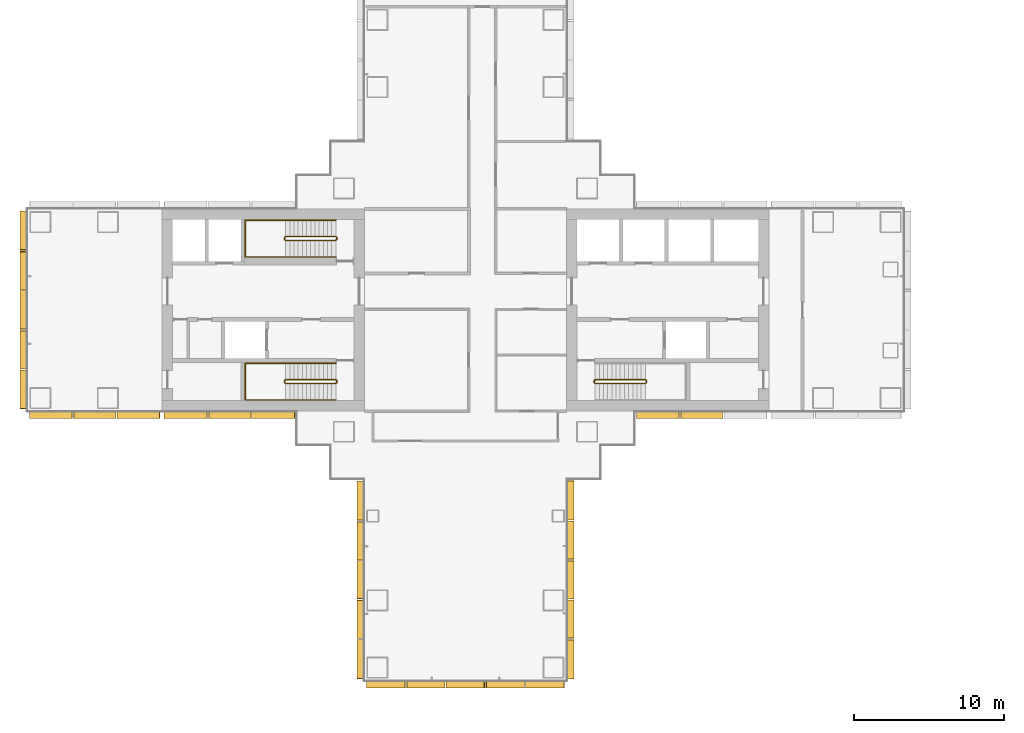
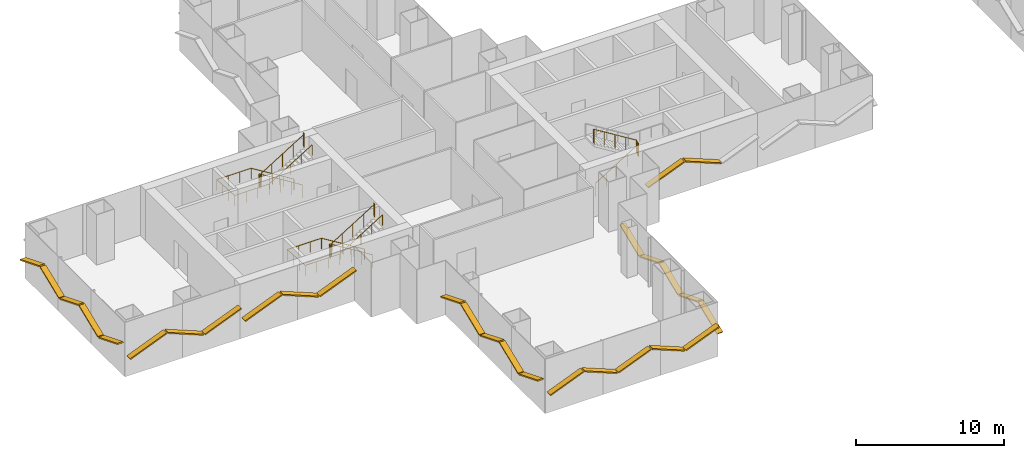
# One storey, part 19 of 22: 28 shading devices, 5 railings.
"""IFC4 building model written with IfcOpenShell, lengths in metres."""

import ifcopenshell
import ifcopenshell.guid

model = None  # the IFC model being written
_history = None  # IfcOwnerHistory: only IFC2X3 demands one
_inside = {}  # id of a spatial element -> (the spatial element, [elements in it])
_under = {}  # id of a project, library or spatial element -> (it, [spatial elements below it])
_declared = {}  # id of a project -> (the project, [libraries it declares])
_typed = {}  # id of a type object -> (the type object, [elements of that type])
_made_of = {}  # id of a material, layer set ... -> (it, [elements and type objects made of it])


def new_model(schema):
    """Start an empty IFC model of exactly this schema.

    Asked for "IFC4X3", IfcOpenShell would pick the latest addendum, in which some entities
    have other attributes; the version numbers below select the first issue.
    IFC2X3 requires an IfcOwnerHistory on every rooted entity: one is made here for all.
    """
    global model, _history
    if schema == "IFC4X3":
        model = ifcopenshell.file(schema_version=(4, 3, 0, 0))
    else:
        model = ifcopenshell.file(schema=schema)
    _inside.clear()
    _under.clear()
    _declared.clear()
    _typed.clear()
    _made_of.clear()
    _history = None
    if model.schema == "IFC2X3":
        org = make("IfcOrganization", Name="unknown")
        user = make(
            "IfcPersonAndOrganization",
            ThePerson=make("IfcPerson", FamilyName="unknown"),
            TheOrganization=org,
        )
        app = make(
            "IfcApplication",
            ApplicationDeveloper=org,
            Version="unknown",
            ApplicationFullName="unknown",
            ApplicationIdentifier="unknown",
        )
        _history = make(
            "IfcOwnerHistory",
            OwningUser=user,
            OwningApplication=app,
            ChangeAction="ADDED",
            CreationDate=0,
        )
    return model


def make(cls, **values):
    """One entity of the class cls with the attributes given. An attribute that is None is left unset."""
    return model.create_entity(
        cls, **{name: value for name, value in values.items() if value is not None}
    )


def rooted(cls, **values):
    """An entity with a GlobalId (a new one), such as an element, a storey or a relation."""
    return make(cls, GlobalId=ifcopenshell.guid.new(), OwnerHistory=_history, **values)


def si_unit(unit_type, name, prefix=None):
    """IfcSIUnit, for example si_unit("LENGTHUNIT", "METRE", prefix="MILLI")."""
    return make("IfcSIUnit", UnitType=unit_type, Prefix=prefix, Name=name)


def assignment(units):
    """IfcUnitAssignment: the units of a project."""
    return None if units is None else make("IfcUnitAssignment", Units=units)


def point(xyz):
    """IfcCartesianPoint."""
    return None if xyz is None else make("IfcCartesianPoint", Coordinates=xyz)


def direction(xyz):
    """IfcDirection."""
    return None if xyz is None else make("IfcDirection", DirectionRatios=xyz)


def frame(location, z_axis=None, x_axis=None):
    """IfcAxis2Placement3D, a coordinate frame: its origin and axes. An axis left out is left unset."""
    return make(
        "IfcAxis2Placement3D",
        Location=point(location),
        Axis=direction(z_axis),
        RefDirection=direction(x_axis),
    )


def frame_2d(location, x_axis=None):
    """IfcAxis2Placement2D, a coordinate frame in the plane: its origin and x axis."""
    return make(
        "IfcAxis2Placement2D", Location=point(location), RefDirection=direction(x_axis)
    )


def origin():
    """The frame at (0, 0, 0) with its axes left unset."""
    return frame((0.0, 0.0, 0.0))


def origin_2d():
    """The frame at (0, 0) in the plane with its x axis left unset."""
    return frame_2d((0.0, 0.0))


def place(relative_to, where):
    """IfcLocalPlacement: puts the frame where relative to a parent placement (None: the world)."""
    return make(
        "IfcLocalPlacement", PlacementRelTo=relative_to, RelativePlacement=where
    )


def context(
    kind, dimensions, precision=None, world=None, true_north=None, identifier=None
):
    """IfcGeometricRepresentationContext, for example the 3D "Model" context."""
    return make(
        "IfcGeometricRepresentationContext",
        ContextIdentifier=identifier,
        ContextType=kind,
        CoordinateSpaceDimension=dimensions,
        Precision=precision,
        WorldCoordinateSystem=world,
        TrueNorth=true_north,
    )


def subcontext(parent, identifier, kind, view, scale=None):
    """IfcGeometricRepresentationSubContext, for example "Body" below "Model"."""
    return make(
        "IfcGeometricRepresentationSubContext",
        ContextIdentifier=identifier,
        ContextType=kind,
        ParentContext=parent,
        TargetScale=scale,
        TargetView=view,
    )


def project(units=None, contexts=None):
    """IfcProject with its units and contexts."""
    return rooted(
        "IfcProject",
        Name="project",
        RepresentationContexts=contexts,
        UnitsInContext=assignment(units),
    )


def spatial(cls, under=None, at=None, **own):
    """A site, building, storey or space (cls), placed at a placement, below another one or the project."""
    s = rooted(cls, ObjectPlacement=at, **own)
    if under is not None:
        _under.setdefault(under.id(), (under, []))[1].append(s)
    return s


def profile(cls, at=None, kind="AREA", **sizes):
    """A parametric profile (cls). Its sizes go by their IFC names, for example OverallWidth=200.0."""
    return make(cls, ProfileType=kind, Position=at, **sizes)


def rectangle(**sizes):
    """IfcRectangleProfileDef."""
    return profile("IfcRectangleProfileDef", **sizes)


def circle(**sizes):
    """IfcCircleProfileDef."""
    return profile("IfcCircleProfileDef", **sizes)


def extrude(swept, where, along, depth):
    """IfcExtrudedAreaSolid: the profile swept, set in the frame where, extruded along a direction by depth."""
    return make(
        "IfcExtrudedAreaSolid",
        SweptArea=swept,
        Position=where,
        ExtrudedDirection=direction(along),
        Depth=depth,
    )


def shape(context_of_items, identifier, shape_type, items):
    """IfcShapeRepresentation: the items that make up one representation, for example the "Body"."""
    return make(
        "IfcShapeRepresentation",
        ContextOfItems=context_of_items,
        RepresentationIdentifier=identifier,
        RepresentationType=shape_type,
        Items=items,
    )


def material(Name=None, Category=None):
    """IfcMaterial."""
    return make("IfcMaterial", Name=Name, Category=Category)


def material_profile(
    of_material, cross_section, Name=None, Category=None, Priority=None
):
    """IfcMaterialProfile: a cross section and its material."""
    return make(
        "IfcMaterialProfile",
        Name=Name,
        Material=of_material,
        Profile=cross_section,
        Priority=Priority,
        Category=Category,
    )


def profile_set(profiles, Name=None, composite=None):
    """IfcMaterialProfileSet."""
    return make(
        "IfcMaterialProfileSet",
        Name=Name,
        MaterialProfiles=profiles,
        CompositeProfile=composite,
    )


def made_of(thing, what):
    """Note that an element or type object is made of a material, layer set ...; save() writes the relation."""
    if what is not None:
        _made_of.setdefault(what.id(), (what, []))[1].append(thing)
    return thing


def type_object(cls, material=None, **own):
    """A type object (cls), such as IfcWallType, which elements share."""
    return made_of(rooted(cls, **own), material)


def element(
    cls,
    number,
    at=None,
    inside=None,
    cuts=None,
    type_object=None,
    material=None,
    context=None,
    identifier="Body",
    shape_type=None,
    held_by="IfcProductDefinitionShape",
    body=None,
    shapes=None,
    **own,
):
    """One element of the class cls, such as IfcWall. Its Tag is "e" and its number.

    at: its placement. inside: the storey or other place that contains it. cuts: it is an
    opening in that element (IfcRelVoidsElement). A single representation is given by context,
    identifier, shape_type and body (its items); several are given by shapes. held_by: the class
    of the entity that holds the representations. save() writes the other relations.
    """
    e = rooted(cls, Tag="e%d" % number, ObjectPlacement=at, **own)
    if body is not None:
        shapes = [shape(context, identifier, shape_type, body)]
    if shapes is not None:
        e.Representation = make(held_by, Representations=shapes)
    if inside is not None:
        _inside.setdefault(inside.id(), (inside, []))[1].append(e)
    if cuts is not None:
        rooted(
            "IfcRelVoidsElement", RelatingBuildingElement=cuts, RelatedOpeningElement=e
        )
    if type_object is not None:
        _typed.setdefault(type_object.id(), (type_object, []))[1].append(e)
    return made_of(e, material)


def aggregate(whole, parts):
    """IfcRelAggregates: a whole, such as a stair, and the parts it consists of."""
    return rooted("IfcRelAggregates", RelatingObject=whole, RelatedObjects=parts)


def save(model, path):
    """Write the relations noted so far, then the file.

    IfcRelAggregates (storeys below a building ...), IfcRelContainedInSpatialStructure (elements
    in a storey), IfcRelDefinesByType, IfcRelAssociatesMaterial and IfcRelDeclares: one each for
    every whole, place, type object, material and project.
    """
    for whole, parts in _under.values():
        aggregate(whole, parts)
    for where, things in _inside.values():
        rooted(
            "IfcRelContainedInSpatialStructure",
            RelatedElements=things,
            RelatingStructure=where,
        )
    for kind, things in _typed.values():
        rooted("IfcRelDefinesByType", RelatedObjects=things, RelatingType=kind)
    for what, things in _made_of.values():
        rooted("IfcRelAssociatesMaterial", RelatedObjects=things, RelatingMaterial=what)
    for by, libraries in _declared.values():
        rooted("IfcRelDeclares", RelatingContext=by, RelatedDefinitions=libraries)
    model.write(path)


model = new_model("IFC4")

# Units and contexts
model_context = context("Model", 3, precision=1e-05, world=origin(), true_north=direction((0.0, 1.0)))
body_context = subcontext(model_context, "Body", "Model", "MODEL_VIEW")
ifc_project = project(units=[si_unit("LENGTHUNIT", "METRE"), si_unit("AREAUNIT", "SQUARE_METRE"), si_unit("VOLUMEUNIT", "CUBIC_METRE"), si_unit("PLANEANGLEUNIT", "RADIAN"), si_unit("MASSUNIT", "GRAM", prefix="KILO")], contexts=[model_context])

# Site, building, storey
site_placement = place(None, origin())
site = spatial("IfcSite", under=ifc_project, at=site_placement, CompositionType="ELEMENT")
building_placement = place(site_placement, origin())
building = spatial("IfcBuilding", under=site, at=building_placement, Name="Shamsa Quay Exchange Towers", CompositionType="ELEMENT")
storey_placement = place(building_placement, frame((0.0, 0.0, 37.5)))
storey = spatial("IfcBuildingStorey", under=building, at=storey_placement, Name="L07", CompositionType="ELEMENT", Elevation=37.5)

# Shading devices
ifc_material_1 = material(Name="Aluminium EN AW-6063 T6, black anodised", Category="aluminium")
ifc_material_profile = material_profile(ifc_material_1, rectangle(XDim=0.449951171875, YDim=0.10009765625, at=origin_2d()), Name="FIN450x100")
ifc_profile_set = profile_set([ifc_material_profile], Name="Aluminium EN AW-6063 T6, black anodised")
shading_device_type = type_object("IfcShadingDeviceType", Name="FIN 450x100 BLACK ALUMINIUM", PredefinedType="USERDEFINED", material=ifc_profile_set)
shading_device_1_placement = place(storey_placement, frame((-40.764892578125, -11.43798828125, 1.37841796875), z_axis=(0.0, -0.927207886392, 0.374547107067), x_axis=(1.0, 0.0, 0.0)))
element("IfcShadingDevice", 1, at=shading_device_1_placement, inside=storey, type_object=shading_device_type, Name="FIN T1 chevron rib", ObjectType="FIN", PredefinedType="USERDEFINED", context=body_context, shape_type="SweptSolid", body=[
    extrude(rectangle(XDim=0.449951171875, YDim=0.10009765625, at=origin_2d()), origin(), (0.0, 0.0, 1.0), 2.78515625),
])
for number, where, z_axis, x_axis, name in (
    (2, (-40.764892578125, -14.120361328125, 2.41162109375), (0.0, -0.927182738176, -0.374609356569), (1.0, 0.0, 0.0), "FIN T1 chevron rib"),
    (3, (-40.764892578125, -16.752685546875, 1.388427734375), (0.0, -0.927182738176, 0.374609356569), (1.0, 0.0, 0.0), "FIN T1 chevron rib"),
):
    element("IfcShadingDevice", number, at=place(storey_placement, frame(where, z_axis=z_axis, x_axis=x_axis)), inside=storey, type_object=shading_device_type, Name=name, ObjectType="FIN", PredefinedType="USERDEFINED", context=body_context, shape_type="SweptSolid", body=[
        extrude(rectangle(XDim=0.449951171875, YDim=0.10009765625, at=origin_2d()), origin(), (0.0, 0.0, 1.0), 2.7314453125),
    ])
shading_device_2_placement = place(storey_placement, frame((-40.764892578125, -19.38525390625, 2.41162109375), z_axis=(0.0, -0.927170193131, -0.37464040488), x_axis=(1.0, 0.0, 0.0)))
element("IfcShadingDevice", 4, at=shading_device_2_placement, inside=storey, type_object=shading_device_type, Name="FIN T1 chevron rib", ObjectType="FIN", PredefinedType="USERDEFINED", context=body_context, shape_type="SweptSolid", body=[
    extrude(rectangle(XDim=0.449951171875, YDim=0.10009765625, at=origin_2d()), origin(), (0.0, 0.0, 1.0), 2.731201171875),
])
shading_device_3_placement = place(storey_placement, frame((-40.764892578125, -22.017578125, 1.37841796875), z_axis=(0.0, -0.927207886392, 0.374547107067), x_axis=(1.0, 0.0, 0.0)))
element("IfcShadingDevice", 5, at=shading_device_3_placement, inside=storey, type_object=shading_device_type, Name="FIN T1 chevron rib", ObjectType="FIN", PredefinedType="USERDEFINED", context=body_context, shape_type="SweptSolid", body=[
    extrude(rectangle(XDim=0.449951171875, YDim=0.10009765625, at=origin_2d()), origin(), (0.0, 0.0, 1.0), 2.78515625),
])
shading_device_4_placement = place(storey_placement, frame((-40.35009765625, -25.014892578125, 1.376708984375), z_axis=(0.927193392866, 0.0, 0.374582984431), x_axis=(0.0, 1.0, 0.0)))
element("IfcShadingDevice", 6, at=shading_device_4_placement, inside=storey, type_object=shading_device_type, Name="FIN T1 chevron rib", ObjectType="FIN", PredefinedType="USERDEFINED", context=body_context, shape_type="SweptSolid", body=[
    extrude(rectangle(XDim=0.449951171875, YDim=0.10009765625, at=origin_2d()), origin(), (0.0, 0.0, 1.0), 2.79345703125),
])
shading_device_5_placement = place(storey_placement, frame((-37.659912109375, -25.014892578125, 2.4130859375), z_axis=(0.92718648049, 0.0, -0.374600093963), x_axis=(0.0, 1.0, 0.0)))
element("IfcShadingDevice", 7, at=shading_device_5_placement, inside=storey, type_object=shading_device_type, Name="FIN T1 chevron rib", ObjectType="FIN", PredefinedType="USERDEFINED", context=body_context, shape_type="SweptSolid", body=[
    extrude(rectangle(XDim=0.449951171875, YDim=0.10009765625, at=origin_2d()), origin(), (0.0, 0.0, 1.0), 2.7392578125),
])
shading_device_6_placement = place(storey_placement, frame((-35.02001953125, -25.014892578125, 1.386962890625), z_axis=(0.927198985683, 0.0, 0.37456914041), x_axis=(0.0, 1.0, 0.0)))
element("IfcShadingDevice", 8, at=shading_device_6_placement, inside=storey, type_object=shading_device_type, Name="FIN T1 chevron rib", ObjectType="FIN", PredefinedType="USERDEFINED", context=body_context, shape_type="SweptSolid", body=[
    extrude(rectangle(XDim=0.449951171875, YDim=0.10009765625, at=origin_2d()), origin(), (0.0, 0.0, 1.0), 2.739501953125),
])
shading_device_7_placement = place(storey_placement, frame((-32.3798828125, -25.014892578125, 2.4130859375), z_axis=(0.92718648049, 0.0, -0.374600093963), x_axis=(0.0, 1.0, 0.0)))
element("IfcShadingDevice", 9, at=shading_device_7_placement, inside=storey, type_object=shading_device_type, Name="FIN T1 chevron rib", ObjectType="FIN", PredefinedType="USERDEFINED", context=body_context, shape_type="SweptSolid", body=[
    extrude(rectangle(XDim=0.449951171875, YDim=0.10009765625, at=origin_2d()), origin(), (0.0, 0.0, 1.0), 2.7392578125),
])
for number, where, z_axis, x_axis, name in (
    (10, (-29.739990234375, -25.014892578125, 1.376708984375), (0.927193392866, 0.0, 0.374582984431), (0.0, 1.0, 0.0), "FIN T1 chevron rib"),
    (11, (-26.735107421875, -24.60009765625, 1.376708984375), (0.0, 0.927193392866, 0.374582984431), (-1.0, 0.0, 0.0), "FIN T1 chevron rib"),
):
    element("IfcShadingDevice", number, at=place(storey_placement, frame(where, z_axis=z_axis, x_axis=x_axis)), inside=storey, type_object=shading_device_type, Name=name, ObjectType="FIN", PredefinedType="USERDEFINED", context=body_context, shape_type="SweptSolid", body=[
        extrude(rectangle(XDim=0.449951171875, YDim=0.10009765625, at=origin_2d()), origin(), (0.0, 0.0, 1.0), 2.79345703125),
    ])
shading_device_8_placement = place(storey_placement, frame((-26.735107421875, -21.909912109375, 2.4130859375), z_axis=(0.0, 0.92718648049, -0.374600093963), x_axis=(-1.0, 0.0, 0.0)))
element("IfcShadingDevice", 12, at=shading_device_8_placement, inside=storey, type_object=shading_device_type, Name="FIN T1 chevron rib", ObjectType="FIN", PredefinedType="USERDEFINED", context=body_context, shape_type="SweptSolid", body=[
    extrude(rectangle(XDim=0.449951171875, YDim=0.10009765625, at=origin_2d()), origin(), (0.0, 0.0, 1.0), 2.7392578125),
])
shading_device_9_placement = place(storey_placement, frame((-26.735107421875, -19.27001953125, 1.386962890625), z_axis=(0.0, 0.927198985683, 0.37456914041), x_axis=(-1.0, 0.0, 0.0)))
element("IfcShadingDevice", 13, at=shading_device_9_placement, inside=storey, type_object=shading_device_type, Name="FIN T1 chevron rib", ObjectType="FIN", PredefinedType="USERDEFINED", context=body_context, shape_type="SweptSolid", body=[
    extrude(rectangle(XDim=0.449951171875, YDim=0.10009765625, at=origin_2d()), origin(), (0.0, 0.0, 1.0), 2.739501953125),
])
shading_device_10_placement = place(storey_placement, frame((-26.735107421875, -16.6298828125, 2.4130859375), z_axis=(0.0, 0.92718648049, -0.374600093963), x_axis=(-1.0, 0.0, 0.0)))
element("IfcShadingDevice", 14, at=shading_device_10_placement, inside=storey, type_object=shading_device_type, Name="FIN T1 chevron rib", ObjectType="FIN", PredefinedType="USERDEFINED", context=body_context, shape_type="SweptSolid", body=[
    extrude(rectangle(XDim=0.449951171875, YDim=0.10009765625, at=origin_2d()), origin(), (0.0, 0.0, 1.0), 2.7392578125),
])
shading_device_11_placement = place(storey_placement, frame((-26.735107421875, -13.989990234375, 1.376708984375), z_axis=(0.0, 0.927193392866, 0.374582984431), x_axis=(-1.0, 0.0, 0.0)))
element("IfcShadingDevice", 15, at=shading_device_11_placement, inside=storey, type_object=shading_device_type, Name="FIN T1 chevron rib", ObjectType="FIN", PredefinedType="USERDEFINED", context=body_context, shape_type="SweptSolid", body=[
    extrude(rectangle(XDim=0.449951171875, YDim=0.10009765625, at=origin_2d()), origin(), (0.0, 0.0, 1.0), 2.79345703125),
])
shading_device_12_placement = place(storey_placement, frame((-22.31201171875, -7.01904296875, 1.326904296875), z_axis=(0.927200279974, 0.0, 0.374565936541), x_axis=(0.0, 1.0, 0.0)))
element("IfcShadingDevice", 16, at=shading_device_12_placement, inside=storey, type_object=shading_device_type, Name="FIN T1 chevron rib", ObjectType="FIN", PredefinedType="USERDEFINED", context=body_context, shape_type="SweptSolid", body=[
    extrude(rectangle(XDim=0.449951171875, YDim=0.10009765625, at=origin_2d()), origin(), (0.0, 0.0, 1.0), 3.060302734375),
])
shading_device_13_placement = place(storey_placement, frame((-19.374755859375, -7.01904296875, 2.463134765625), z_axis=(0.927177294124, 0.0, -0.374622830673), x_axis=(0.0, 1.0, 0.0)))
element("IfcShadingDevice", 17, at=shading_device_13_placement, inside=storey, type_object=shading_device_type, Name="FIN T1 chevron rib", ObjectType="FIN", PredefinedType="USERDEFINED", context=body_context, shape_type="SweptSolid", body=[
    extrude(rectangle(XDim=0.449951171875, YDim=0.10009765625, at=origin_2d()), origin(), (0.0, 0.0, 1.0), 3.00634765625),
])
shading_device_14_placement = place(storey_placement, frame((-63.264892578125, 6.60009765625, 1.376708984375), z_axis=(0.0, -0.927193392866, 0.374582984431), x_axis=(1.0, 0.0, 0.0)))
element("IfcShadingDevice", 18, at=shading_device_14_placement, inside=storey, type_object=shading_device_type, Name="FIN T1 chevron rib", ObjectType="FIN", PredefinedType="USERDEFINED", context=body_context, shape_type="SweptSolid", body=[
    extrude(rectangle(XDim=0.449951171875, YDim=0.10009765625, at=origin_2d()), origin(), (0.0, 0.0, 1.0), 2.79345703125),
])
shading_device_15_placement = place(storey_placement, frame((-63.264892578125, 3.909912109375, 2.4130859375), z_axis=(0.0, -0.92718648049, -0.374600093963), x_axis=(1.0, 0.0, 0.0)))
element("IfcShadingDevice", 19, at=shading_device_15_placement, inside=storey, type_object=shading_device_type, Name="FIN T1 chevron rib", ObjectType="FIN", PredefinedType="USERDEFINED", context=body_context, shape_type="SweptSolid", body=[
    extrude(rectangle(XDim=0.449951171875, YDim=0.10009765625, at=origin_2d()), origin(), (0.0, 0.0, 1.0), 2.7392578125),
])
shading_device_16_placement = place(storey_placement, frame((-63.264892578125, 1.27001953125, 1.386962890625), z_axis=(0.0, -0.927198985683, 0.37456914041), x_axis=(1.0, 0.0, 0.0)))
element("IfcShadingDevice", 20, at=shading_device_16_placement, inside=storey, type_object=shading_device_type, Name="FIN T1 chevron rib", ObjectType="FIN", PredefinedType="USERDEFINED", context=body_context, shape_type="SweptSolid", body=[
    extrude(rectangle(XDim=0.449951171875, YDim=0.10009765625, at=origin_2d()), origin(), (0.0, 0.0, 1.0), 2.739501953125),
])
shading_device_17_placement = place(storey_placement, frame((-63.264892578125, -1.3701171875, 2.4130859375), z_axis=(0.0, -0.92718648049, -0.374600093963), x_axis=(1.0, 0.0, 0.0)))
element("IfcShadingDevice", 21, at=shading_device_17_placement, inside=storey, type_object=shading_device_type, Name="FIN T1 chevron rib", ObjectType="FIN", PredefinedType="USERDEFINED", context=body_context, shape_type="SweptSolid", body=[
    extrude(rectangle(XDim=0.449951171875, YDim=0.10009765625, at=origin_2d()), origin(), (0.0, 0.0, 1.0), 2.7392578125),
])
shading_device_18_placement = place(storey_placement, frame((-63.264892578125, -4.010009765625, 1.376708984375), z_axis=(0.0, -0.927193392866, 0.374582984431), x_axis=(1.0, 0.0, 0.0)))
element("IfcShadingDevice", 22, at=shading_device_18_placement, inside=storey, type_object=shading_device_type, Name="FIN T1 chevron rib", ObjectType="FIN", PredefinedType="USERDEFINED", context=body_context, shape_type="SweptSolid", body=[
    extrude(rectangle(XDim=0.449951171875, YDim=0.10009765625, at=origin_2d()), origin(), (0.0, 0.0, 1.0), 2.79345703125),
])
shading_device_19_placement = place(storey_placement, frame((-62.85009765625, -7.014892578125, 1.32421875), z_axis=(0.927172879528, 0.0, 0.374633756445), x_axis=(0.0, 1.0, 0.0)))
element("IfcShadingDevice", 23, at=shading_device_19_placement, inside=storey, type_object=shading_device_type, Name="FIN T1 chevron rib", ObjectType="FIN", PredefinedType="USERDEFINED", context=body_context, shape_type="SweptSolid", body=[
    extrude(rectangle(XDim=0.449951171875, YDim=0.10009765625, at=origin_2d()), origin(), (0.0, 0.0, 1.0), 3.073974609375),
])
shading_device_20_placement = place(storey_placement, frame((-59.89990234375, -7.014892578125, 2.465576171875), z_axis=(0.927194321903, 0.0, -0.374580684808), x_axis=(0.0, 1.0, 0.0)))
element("IfcShadingDevice", 24, at=shading_device_20_placement, inside=storey, type_object=shading_device_type, Name="FIN T1 chevron rib", ObjectType="FIN", PredefinedType="USERDEFINED", context=body_context, shape_type="SweptSolid", body=[
    extrude(rectangle(XDim=0.449951171875, YDim=0.10009765625, at=origin_2d()), origin(), (0.0, 0.0, 1.0), 3.01953125),
])
for number, where, z_axis, x_axis, name in (
    (25, (-57.0, -7.014892578125, 1.32421875), (0.927172879528, 0.0, 0.374633756445), (0.0, 1.0, 0.0), "FIN T1 chevron rib"),
    (26, (-53.85009765625, -7.01904296875, 1.32421875), (0.927172879528, 0.0, 0.374633756445), (0.0, 1.0, 0.0), "FIN T1 chevron rib"),
):
    element("IfcShadingDevice", number, at=place(storey_placement, frame(where, z_axis=z_axis, x_axis=x_axis)), inside=storey, type_object=shading_device_type, Name=name, ObjectType="FIN", PredefinedType="USERDEFINED", context=body_context, shape_type="SweptSolid", body=[
        extrude(rectangle(XDim=0.449951171875, YDim=0.10009765625, at=origin_2d()), origin(), (0.0, 0.0, 1.0), 3.073974609375),
    ])
shading_device_21_placement = place(storey_placement, frame((-50.89990234375, -7.01904296875, 2.465576171875), z_axis=(0.927194321903, 0.0, -0.374580684808), x_axis=(0.0, 1.0, 0.0)))
element("IfcShadingDevice", 27, at=shading_device_21_placement, inside=storey, type_object=shading_device_type, Name="FIN T1 chevron rib", ObjectType="FIN", PredefinedType="USERDEFINED", context=body_context, shape_type="SweptSolid", body=[
    extrude(rectangle(XDim=0.449951171875, YDim=0.10009765625, at=origin_2d()), origin(), (0.0, 0.0, 1.0), 3.01953125),
])
shading_device_22_placement = place(storey_placement, frame((-48.0, -7.01904296875, 1.32421875), z_axis=(0.927172879528, 0.0, 0.374633756445), x_axis=(0.0, 1.0, 0.0)))
element("IfcShadingDevice", 28, at=shading_device_22_placement, inside=storey, type_object=shading_device_type, Name="FIN T1 chevron rib", ObjectType="FIN", PredefinedType="USERDEFINED", context=body_context, shape_type="SweptSolid", body=[
    extrude(rectangle(XDim=0.449951171875, YDim=0.10009765625, at=origin_2d()), origin(), (0.0, 0.0, 1.0), 3.073974609375),
])

# Railings
ifc_material_2 = material(Name="Stainless steel", Category="steel")
railing_type_1 = type_object("IfcRailingType", Name="STAIR GUARD 1100", PredefinedType="GUARDRAIL", material=ifc_material_2)
railing_1_placement = place(storey_placement, frame((-25.10009765625, -4.89990234375, 0.173095703125)))
element("IfcRailing", 29, at=railing_1_placement, inside=storey, type_object=railing_type_1, Name="L07 ST1 stair guard 1", PredefinedType="GUARDRAIL", context=body_context, shape_type="SweptSolid", body=[
    extrude(circle(Radius=0.02392578125, at=origin_2d()), frame((0.0, 0.0, 1.076171875), z_axis=(0.850623216509, 0.0, 0.525775754039), x_axis=(0.0, 1.0, 0.0)), (0.0, 0.0, 1.0), 3.9501953125),
    extrude(circle(Radius=0.02392578125, at=origin_2d()), frame((3.360107421875, 0.0, 3.15283203125), z_axis=(0.708833529934, 0.705375805398, 0.0), x_axis=(-0.705375805398, 0.708833529934, 0.0)), (0.0, 0.0, 1.0), 0.070556640625),
    extrude(circle(Radius=0.02392578125, at=origin_2d()), frame((3.41015625, 0.0498046875, 3.15283203125), z_axis=(0.0, 1.0, 0.0), x_axis=(-1.0, 0.0, 0.0)), (0.0, 0.0, 1.0), 0.150146484375),
    extrude(circle(Radius=0.02392578125, at=origin_2d()), frame((3.41015625, 0.199951171875, 3.15283203125), z_axis=(-0.267629722418, 0.267629722418, 0.925607186314), x_axis=(-0.707106781187, -0.707106781187, 0.0)), (0.0, 0.0, 1.0), 0.18701171875),
    extrude(circle(Radius=0.02392578125, at=origin_2d()), frame((3.360107421875, 0.25, 3.326171875), z_axis=(-0.850623216509, 0.0, 0.525775754039), x_axis=(0.0, -1.0, 0.0)), (0.0, 0.0, 1.0), 3.9501953125),
    extrude(circle(Radius=0.02392578125, at=origin_2d()), frame((0.0, 0.25, 5.40283203125), z_axis=(-0.24142163986, -0.970420317083, 0.0), x_axis=(0.970420317083, -0.24142163986, 0.0)), (0.0, 0.0, 1.0), 0.206298828125),
    extrude(circle(Radius=0.02392578125, at=origin_2d()), frame((-0.0498046875, 0.0498046875, 5.40283203125), z_axis=(0.0, 1.0, 0.0), x_axis=(-1.0, 0.0, 0.0)), (0.0, 0.0, 1.0), 0.150146484375),
    extrude(circle(Radius=0.02099609375, at=origin_2d()), origin(), (0.0, 0.0, 1.0), 1.052001953125),
    extrude(circle(Radius=0.02099609375, at=origin_2d()), frame((0.840087890625, 0.0, 0.519287109375)), (0.0, 0.0, 1.0), 1.052001953125),
    extrude(circle(Radius=0.02099609375, at=origin_2d()), frame((1.68017578125, 0.0, 1.03857421875)), (0.0, 0.0, 1.0), 1.052001953125),
    extrude(circle(Radius=0.02099609375, at=origin_2d()), frame((2.52001953125, 0.0, 1.5576171875)), (0.0, 0.0, 1.0), 1.052001953125),
    extrude(circle(Radius=0.02099609375, at=origin_2d()), frame((3.360107421875, 0.0, 2.076904296875)), (0.0, 0.0, 1.0), 1.052001953125),
    extrude(circle(Radius=0.02099609375, at=origin_2d()), frame((3.41015625, 0.0498046875, 2.076904296875)), (0.0, 0.0, 1.0), 1.052001953125),
    extrude(circle(Radius=0.02099609375, at=origin_2d()), frame((3.41015625, 0.199951171875, 2.076904296875)), (0.0, 0.0, 1.0), 1.052001953125),
    extrude(circle(Radius=0.02099609375, at=origin_2d()), frame((3.360107421875, 0.25, 2.25)), (0.0, 0.0, 1.0), 1.052001953125),
    extrude(circle(Radius=0.02099609375, at=origin_2d()), frame((2.52001953125, 0.25, 2.769287109375)), (0.0, 0.0, 1.0), 1.052001953125),
    extrude(circle(Radius=0.02099609375, at=origin_2d()), frame((1.68017578125, 0.25, 3.28857421875)), (0.0, 0.0, 1.0), 1.052001953125),
    extrude(circle(Radius=0.02099609375, at=origin_2d()), frame((0.840087890625, 0.25, 3.8076171875)), (0.0, 0.0, 1.0), 1.052001953125),
    extrude(circle(Radius=0.02099609375, at=origin_2d()), frame((0.0, 0.25, 4.326904296875)), (0.0, 0.0, 1.0), 1.052001953125),
    extrude(circle(Radius=0.02099609375, at=origin_2d()), frame((-0.0498046875, 0.0498046875, 4.326904296875)), (0.0, 0.0, 1.0), 1.052001953125),
    extrude(circle(Radius=0.02099609375, at=origin_2d()), frame((-0.0498046875, 0.199951171875, 4.326904296875)), (0.0, 0.0, 1.0), 1.052001953125),
])
railing_2_placement = place(storey_placement, frame((-42.39990234375, -4.64990234375, 0.173095703125)))
element("IfcRailing", 30, at=railing_2_placement, inside=storey, type_object=railing_type_1, Name="L07 ST2 stair guard 1", PredefinedType="GUARDRAIL", context=body_context, shape_type="SweptSolid", body=[
    extrude(circle(Radius=0.02392578125, at=origin_2d()), frame((0.0, 0.0, 1.076171875), z_axis=(-0.850623216509, 0.0, 0.525775754039), x_axis=(0.0, -1.0, 0.0)), (0.0, 0.0, 1.0), 3.9501953125),
    extrude(circle(Radius=0.02392578125, at=origin_2d()), frame((-3.360107421875, 0.0, 3.15283203125), z_axis=(-0.707106781187, -0.707106781187, 0.0), x_axis=(0.707106781187, -0.707106781187, 0.0)), (0.0, 0.0, 1.0), 0.07080078125),
    extrude(circle(Radius=0.02392578125, at=origin_2d()), frame((-3.41015625, -0.050048828125, 3.15283203125), z_axis=(0.0, -1.0, 0.0), x_axis=(1.0, 0.0, 0.0)), (0.0, 0.0, 1.0), 0.150146484375),
    extrude(circle(Radius=0.02392578125, at=origin_2d()), frame((-3.41015625, -0.2001953125, 3.15283203125), z_axis=(0.267723051232, -0.266417085129, 0.925929967433), x_axis=(0.705375805398, 0.708833529934, 0.0)), (0.0, 0.0, 1.0), 0.18701171875),
    extrude(circle(Radius=0.02392578125, at=origin_2d()), frame((-3.360107421875, -0.25, 3.326171875), z_axis=(0.850623216509, 0.0, 0.525775754039), x_axis=(0.0, 1.0, 0.0)), (0.0, 0.0, 1.0), 3.9501953125),
    extrude(circle(Radius=0.02392578125, at=origin_2d()), frame((0.0, -0.25, 5.40283203125), z_axis=(0.241699205484, 0.970351222016, 0.0), x_axis=(-0.970351222016, 0.241699205484, 0.0)), (0.0, 0.0, 1.0), 0.2060546875),
    extrude(circle(Radius=0.02392578125, at=origin_2d()), frame((0.0498046875, -0.050048828125, 5.40283203125), z_axis=(0.0, -1.0, 0.0), x_axis=(1.0, 0.0, 0.0)), (0.0, 0.0, 1.0), 0.150146484375),
    extrude(circle(Radius=0.02099609375, at=origin_2d()), origin(), (0.0, 0.0, 1.0), 1.052001953125),
    extrude(circle(Radius=0.02099609375, at=origin_2d()), frame((-0.840087890625, 0.0, 0.519287109375)), (0.0, 0.0, 1.0), 1.052001953125),
    extrude(circle(Radius=0.02099609375, at=origin_2d()), frame((-1.68017578125, 0.0, 1.03857421875)), (0.0, 0.0, 1.0), 1.052001953125),
    extrude(circle(Radius=0.02099609375, at=origin_2d()), frame((-2.52001953125, 0.0, 1.5576171875)), (0.0, 0.0, 1.0), 1.052001953125),
    extrude(circle(Radius=0.02099609375, at=origin_2d()), frame((-3.360107421875, 0.0, 2.076904296875)), (0.0, 0.0, 1.0), 1.052001953125),
    extrude(circle(Radius=0.02099609375, at=origin_2d()), frame((-3.41015625, -0.050048828125, 2.076904296875)), (0.0, 0.0, 1.0), 1.052001953125),
    extrude(circle(Radius=0.02099609375, at=origin_2d()), frame((-3.41015625, -0.2001953125, 2.076904296875)), (0.0, 0.0, 1.0), 1.052001953125),
    extrude(circle(Radius=0.02099609375, at=origin_2d()), frame((-3.360107421875, -0.25, 2.25)), (0.0, 0.0, 1.0), 1.052001953125),
    extrude(circle(Radius=0.02099609375, at=origin_2d()), frame((-2.52001953125, -0.25, 2.769287109375)), (0.0, 0.0, 1.0), 1.052001953125),
    extrude(circle(Radius=0.02099609375, at=origin_2d()), frame((-1.68017578125, -0.25, 3.28857421875)), (0.0, 0.0, 1.0), 1.052001953125),
    extrude(circle(Radius=0.02099609375, at=origin_2d()), frame((-0.840087890625, -0.25, 3.8076171875)), (0.0, 0.0, 1.0), 1.052001953125),
    extrude(circle(Radius=0.02099609375, at=origin_2d()), frame((0.0, -0.25, 4.326904296875)), (0.0, 0.0, 1.0), 1.052001953125),
    extrude(circle(Radius=0.02099609375, at=origin_2d()), frame((0.0498046875, -0.050048828125, 4.326904296875)), (0.0, 0.0, 1.0), 1.052001953125),
    extrude(circle(Radius=0.02099609375, at=origin_2d()), frame((0.0498046875, -0.2001953125, 4.326904296875)), (0.0, 0.0, 1.0), 1.052001953125),
])
railing_3_placement = place(storey_placement, frame((-42.39990234375, 4.89990234375, 0.173095703125)))
element("IfcRailing", 31, at=railing_3_placement, inside=storey, type_object=railing_type_1, Name="L07 ST3 stair guard 1", PredefinedType="GUARDRAIL", context=body_context, shape_type="SweptSolid", body=[
    extrude(circle(Radius=0.02392578125, at=origin_2d()), frame((0.0, 0.0, 1.076171875), z_axis=(-0.850623216509, 0.0, 0.525775754039), x_axis=(0.0, -1.0, 0.0)), (0.0, 0.0, 1.0), 3.9501953125),
    extrude(circle(Radius=0.02392578125, at=origin_2d()), frame((-3.360107421875, 0.0, 3.15283203125), z_axis=(-0.708833529934, -0.705375805398, 0.0), x_axis=(0.705375805398, -0.708833529934, 0.0)), (0.0, 0.0, 1.0), 0.070556640625),
    extrude(circle(Radius=0.02392578125, at=origin_2d()), frame((-3.41015625, -0.0498046875, 3.15283203125), z_axis=(0.0, -1.0, 0.0), x_axis=(1.0, 0.0, 0.0)), (0.0, 0.0, 1.0), 0.150146484375),
    extrude(circle(Radius=0.02392578125, at=origin_2d()), frame((-3.41015625, -0.199951171875, 3.15283203125), z_axis=(0.267629722418, -0.267629722418, 0.925607186314), x_axis=(0.707106781187, 0.707106781187, 0.0)), (0.0, 0.0, 1.0), 0.18701171875),
    extrude(circle(Radius=0.02392578125, at=origin_2d()), frame((-3.360107421875, -0.25, 3.326171875), z_axis=(0.850623216509, 0.0, 0.525775754039), x_axis=(0.0, 1.0, 0.0)), (0.0, 0.0, 1.0), 3.9501953125),
    extrude(circle(Radius=0.02392578125, at=origin_2d()), frame((0.0, -0.25, 5.40283203125), z_axis=(0.24142163986, 0.970420317083, 0.0), x_axis=(-0.970420317083, 0.24142163986, 0.0)), (0.0, 0.0, 1.0), 0.206298828125),
    extrude(circle(Radius=0.02392578125, at=origin_2d()), frame((0.0498046875, -0.0498046875, 5.40283203125), z_axis=(0.0, -1.0, 0.0), x_axis=(1.0, 0.0, 0.0)), (0.0, 0.0, 1.0), 0.150146484375),
    extrude(circle(Radius=0.02099609375, at=origin_2d()), origin(), (0.0, 0.0, 1.0), 1.052001953125),
    extrude(circle(Radius=0.02099609375, at=origin_2d()), frame((-0.840087890625, 0.0, 0.519287109375)), (0.0, 0.0, 1.0), 1.052001953125),
    extrude(circle(Radius=0.02099609375, at=origin_2d()), frame((-1.68017578125, 0.0, 1.03857421875)), (0.0, 0.0, 1.0), 1.052001953125),
    extrude(circle(Radius=0.02099609375, at=origin_2d()), frame((-2.52001953125, 0.0, 1.5576171875)), (0.0, 0.0, 1.0), 1.052001953125),
    extrude(circle(Radius=0.02099609375, at=origin_2d()), frame((-3.360107421875, 0.0, 2.076904296875)), (0.0, 0.0, 1.0), 1.052001953125),
    extrude(circle(Radius=0.02099609375, at=origin_2d()), frame((-3.41015625, -0.0498046875, 2.076904296875)), (0.0, 0.0, 1.0), 1.052001953125),
    extrude(circle(Radius=0.02099609375, at=origin_2d()), frame((-3.41015625, -0.199951171875, 2.076904296875)), (0.0, 0.0, 1.0), 1.052001953125),
    extrude(circle(Radius=0.02099609375, at=origin_2d()), frame((-3.360107421875, -0.25, 2.25)), (0.0, 0.0, 1.0), 1.052001953125),
    extrude(circle(Radius=0.02099609375, at=origin_2d()), frame((-2.52001953125, -0.25, 2.769287109375)), (0.0, 0.0, 1.0), 1.052001953125),
    extrude(circle(Radius=0.02099609375, at=origin_2d()), frame((-1.68017578125, -0.25, 3.28857421875)), (0.0, 0.0, 1.0), 1.052001953125),
    extrude(circle(Radius=0.02099609375, at=origin_2d()), frame((-0.840087890625, -0.25, 3.8076171875)), (0.0, 0.0, 1.0), 1.052001953125),
    extrude(circle(Radius=0.02099609375, at=origin_2d()), frame((0.0, -0.25, 4.326904296875)), (0.0, 0.0, 1.0), 1.052001953125),
    extrude(circle(Radius=0.02099609375, at=origin_2d()), frame((0.0498046875, -0.0498046875, 4.326904296875)), (0.0, 0.0, 1.0), 1.052001953125),
    extrude(circle(Radius=0.02099609375, at=origin_2d()), frame((0.0498046875, -0.199951171875, 4.326904296875)), (0.0, 0.0, 1.0), 1.052001953125),
])
railing_type_2 = type_object("IfcRailingType", Name="STAIR HANDRAIL 900", PredefinedType="HANDRAIL", material=ifc_material_2)
railing_4_placement = place(storey_placement, frame((-42.39990234375, -3.550048828125, 0.173095703125)))
element("IfcRailing", 32, at=railing_4_placement, inside=storey, type_object=railing_type_2, Name="L07 ST2 stair handrail 1", PredefinedType="HANDRAIL", context=body_context, shape_type="SweptSolid", body=[
    extrude(circle(Radius=0.02392578125, at=origin_2d()), frame((0.0, 0.0, 0.8759765625), z_axis=(-0.850623216509, 0.0, 0.525775754039), x_axis=(0.0, -1.0, 0.0)), (0.0, 0.0, 1.0), 3.9501953125),
    extrude(circle(Radius=0.02392578125, at=origin_2d()), frame((-3.360107421875, 0.0, 2.95263671875), z_axis=(-1.0, 0.0, 0.0), x_axis=(0.0, -1.0, 0.0)), (0.0, 0.0, 1.0), 2.68994140625),
    extrude(circle(Radius=0.02392578125, at=origin_2d()), frame((-6.050048828125, 0.0, 2.95263671875), z_axis=(0.0, -0.997513402493, 0.07047703063), x_axis=(1.0, 0.0, 0.0)), (0.0, 0.0, 1.0), 2.4560546875),
    extrude(circle(Radius=0.02392578125, at=origin_2d()), frame((-6.050048828125, -2.449951171875, 3.1259765625), z_axis=(1.0, 0.0, 0.0), x_axis=(0.0, 1.0, 0.0)), (0.0, 0.0, 1.0), 2.68994140625),
    extrude(circle(Radius=0.02392578125, at=origin_2d()), frame((-3.360107421875, -2.449951171875, 3.1259765625), z_axis=(0.850623216509, 0.0, 0.525775754039), x_axis=(0.0, 1.0, 0.0)), (0.0, 0.0, 1.0), 3.9501953125),
    extrude(circle(Radius=0.02099609375, at=origin_2d()), origin(), (0.0, 0.0, 1.0), 0.851806640625),
    extrude(circle(Radius=0.02099609375, at=origin_2d()), frame((-0.840087890625, 0.0, 0.519287109375)), (0.0, 0.0, 1.0), 0.851806640625),
    extrude(circle(Radius=0.02099609375, at=origin_2d()), frame((-1.68017578125, 0.0, 1.03857421875)), (0.0, 0.0, 1.0), 0.851806640625),
    extrude(circle(Radius=0.02099609375, at=origin_2d()), frame((-2.52001953125, 0.0, 1.5576171875)), (0.0, 0.0, 1.0), 0.851806640625),
    extrude(circle(Radius=0.02099609375, at=origin_2d()), frame((-3.360107421875, 0.0, 2.076904296875)), (0.0, 0.0, 1.0), 0.851806640625),
    extrude(circle(Radius=0.02099609375, at=origin_2d()), frame((-4.2568359375, 0.0, 2.076904296875)), (0.0, 0.0, 1.0), 0.851806640625),
    extrude(circle(Radius=0.02099609375, at=origin_2d()), frame((-5.1533203125, 0.0, 2.076904296875)), (0.0, 0.0, 1.0), 0.851806640625),
    extrude(circle(Radius=0.02099609375, at=origin_2d()), frame((-6.050048828125, 0.0, 2.076904296875)), (0.0, 0.0, 1.0), 0.851806640625),
    extrude(circle(Radius=0.02099609375, at=origin_2d()), frame((-6.050048828125, -0.816650390625, 2.134521484375)), (0.0, 0.0, 1.0), 0.851806640625),
    extrude(circle(Radius=0.02099609375, at=origin_2d()), frame((-6.050048828125, -1.63330078125, 2.1923828125)), (0.0, 0.0, 1.0), 0.851806640625),
    extrude(circle(Radius=0.02099609375, at=origin_2d()), frame((-6.050048828125, -2.449951171875, 2.25)), (0.0, 0.0, 1.0), 0.851806640625),
    extrude(circle(Radius=0.02099609375, at=origin_2d()), frame((-5.1533203125, -2.449951171875, 2.25)), (0.0, 0.0, 1.0), 0.851806640625),
    extrude(circle(Radius=0.02099609375, at=origin_2d()), frame((-4.2568359375, -2.449951171875, 2.25)), (0.0, 0.0, 1.0), 0.851806640625),
    extrude(circle(Radius=0.02099609375, at=origin_2d()), frame((-3.360107421875, -2.449951171875, 2.25)), (0.0, 0.0, 1.0), 0.851806640625),
    extrude(circle(Radius=0.02099609375, at=origin_2d()), frame((-2.52001953125, -2.449951171875, 2.769287109375)), (0.0, 0.0, 1.0), 0.851806640625),
    extrude(circle(Radius=0.02099609375, at=origin_2d()), frame((-1.68017578125, -2.449951171875, 3.28857421875)), (0.0, 0.0, 1.0), 0.851806640625),
    extrude(circle(Radius=0.02099609375, at=origin_2d()), frame((-0.840087890625, -2.449951171875, 3.8076171875)), (0.0, 0.0, 1.0), 0.851806640625),
    extrude(circle(Radius=0.02099609375, at=origin_2d()), frame((0.0, -2.449951171875, 4.326904296875)), (0.0, 0.0, 1.0), 0.851806640625),
])
railing_5_placement = place(storey_placement, frame((-42.39990234375, 6.0, 0.173095703125)))
element("IfcRailing", 33, at=railing_5_placement, inside=storey, type_object=railing_type_2, Name="L07 ST3 stair handrail 1", PredefinedType="HANDRAIL", context=body_context, shape_type="SweptSolid", body=[
    extrude(circle(Radius=0.02392578125, at=origin_2d()), frame((0.0, 0.0, 0.8759765625), z_axis=(-0.850623216509, 0.0, 0.525775754039), x_axis=(0.0, -1.0, 0.0)), (0.0, 0.0, 1.0), 3.9501953125),
    extrude(circle(Radius=0.02392578125, at=origin_2d()), frame((-3.360107421875, 0.0, 2.95263671875), z_axis=(-1.0, 0.0, 0.0), x_axis=(0.0, -1.0, 0.0)), (0.0, 0.0, 1.0), 2.68994140625),
    extrude(circle(Radius=0.02392578125, at=origin_2d()), frame((-6.050048828125, 0.0, 2.95263671875), z_axis=(0.0, -0.997513402493, 0.07047703063), x_axis=(1.0, 0.0, 0.0)), (0.0, 0.0, 1.0), 2.4560546875),
    extrude(circle(Radius=0.02392578125, at=origin_2d()), frame((-6.050048828125, -2.449951171875, 3.1259765625), z_axis=(1.0, 0.0, 0.0), x_axis=(0.0, 1.0, 0.0)), (0.0, 0.0, 1.0), 2.68994140625),
    extrude(circle(Radius=0.02392578125, at=origin_2d()), frame((-3.360107421875, -2.449951171875, 3.1259765625), z_axis=(0.850623216509, 0.0, 0.525775754039), x_axis=(0.0, 1.0, 0.0)), (0.0, 0.0, 1.0), 3.9501953125),
    extrude(circle(Radius=0.02099609375, at=origin_2d()), origin(), (0.0, 0.0, 1.0), 0.851806640625),
    extrude(circle(Radius=0.02099609375, at=origin_2d()), frame((-0.840087890625, 0.0, 0.519287109375)), (0.0, 0.0, 1.0), 0.851806640625),
    extrude(circle(Radius=0.02099609375, at=origin_2d()), frame((-1.68017578125, 0.0, 1.03857421875)), (0.0, 0.0, 1.0), 0.851806640625),
    extrude(circle(Radius=0.02099609375, at=origin_2d()), frame((-2.52001953125, 0.0, 1.5576171875)), (0.0, 0.0, 1.0), 0.851806640625),
    extrude(circle(Radius=0.02099609375, at=origin_2d()), frame((-3.360107421875, 0.0, 2.076904296875)), (0.0, 0.0, 1.0), 0.851806640625),
    extrude(circle(Radius=0.02099609375, at=origin_2d()), frame((-4.2568359375, 0.0, 2.076904296875)), (0.0, 0.0, 1.0), 0.851806640625),
    extrude(circle(Radius=0.02099609375, at=origin_2d()), frame((-5.1533203125, 0.0, 2.076904296875)), (0.0, 0.0, 1.0), 0.851806640625),
    extrude(circle(Radius=0.02099609375, at=origin_2d()), frame((-6.050048828125, 0.0, 2.076904296875)), (0.0, 0.0, 1.0), 0.851806640625),
    extrude(circle(Radius=0.02099609375, at=origin_2d()), frame((-6.050048828125, -0.816650390625, 2.134521484375)), (0.0, 0.0, 1.0), 0.851806640625),
    extrude(circle(Radius=0.02099609375, at=origin_2d()), frame((-6.050048828125, -1.63330078125, 2.1923828125)), (0.0, 0.0, 1.0), 0.851806640625),
    extrude(circle(Radius=0.02099609375, at=origin_2d()), frame((-6.050048828125, -2.449951171875, 2.25)), (0.0, 0.0, 1.0), 0.851806640625),
    extrude(circle(Radius=0.02099609375, at=origin_2d()), frame((-5.1533203125, -2.449951171875, 2.25)), (0.0, 0.0, 1.0), 0.851806640625),
    extrude(circle(Radius=0.02099609375, at=origin_2d()), frame((-4.2568359375, -2.449951171875, 2.25)), (0.0, 0.0, 1.0), 0.851806640625),
    extrude(circle(Radius=0.02099609375, at=origin_2d()), frame((-3.360107421875, -2.449951171875, 2.25)), (0.0, 0.0, 1.0), 0.851806640625),
    extrude(circle(Radius=0.02099609375, at=origin_2d()), frame((-2.52001953125, -2.449951171875, 2.769287109375)), (0.0, 0.0, 1.0), 0.851806640625),
    extrude(circle(Radius=0.02099609375, at=origin_2d()), frame((-1.68017578125, -2.449951171875, 3.28857421875)), (0.0, 0.0, 1.0), 0.851806640625),
    extrude(circle(Radius=0.02099609375, at=origin_2d()), frame((-0.840087890625, -2.449951171875, 3.8076171875)), (0.0, 0.0, 1.0), 0.851806640625),
    extrude(circle(Radius=0.02099609375, at=origin_2d()), frame((0.0, -2.449951171875, 4.326904296875)), (0.0, 0.0, 1.0), 0.851806640625),
])

save(model, "model.ifc")
